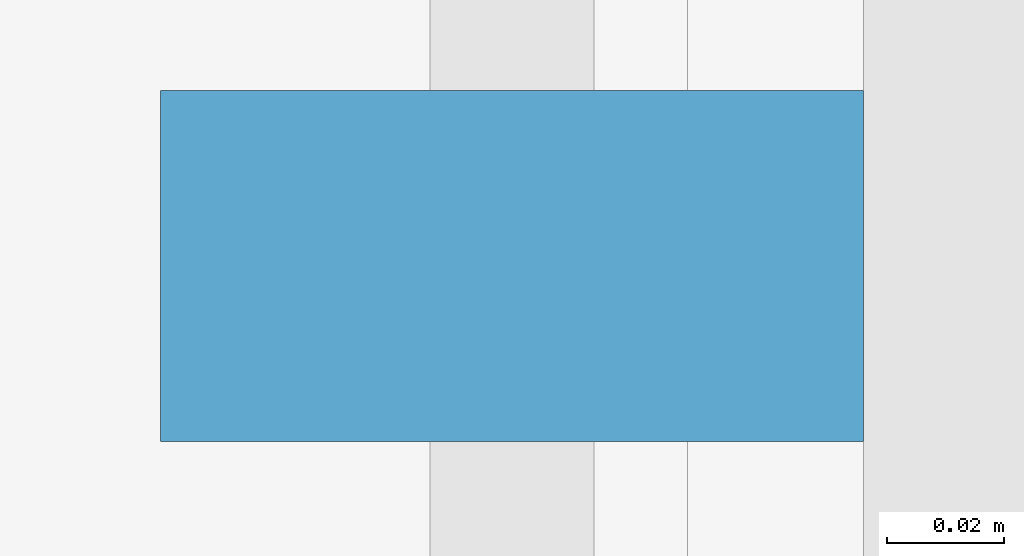
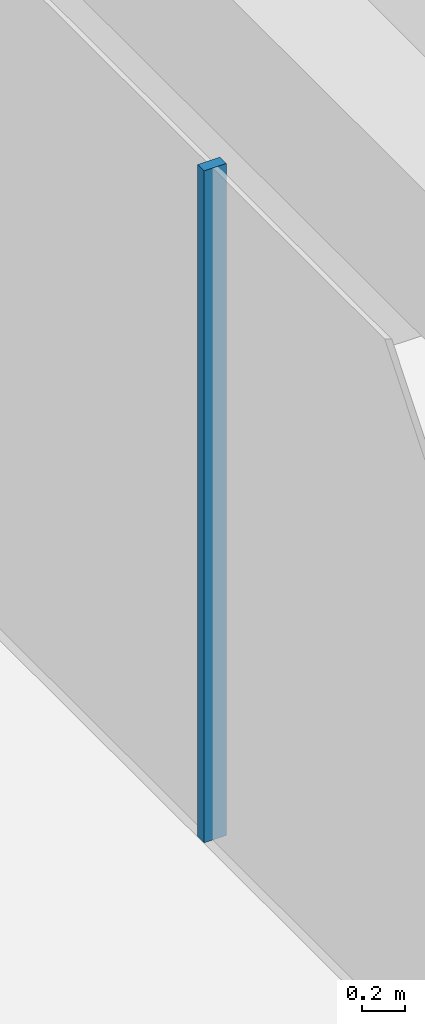
# One storey, part 9 of 20: 1 member, 1 element without a shape of its own.
"""IFC4 building model written with IfcOpenShell, lengths in metres."""

from ifc_helpers import new_model, si_unit, direction, frame, origin, origin_2d, place, context, subcontext, project, spatial, rectangle, extrude, material, layer, layer_set, material_profile, profile_set, type_object, element, aggregate, save


model = new_model("IFC4")

# Units and contexts
model_context = context("Model", 3, precision=1e-05, world=origin(), true_north=direction((0.0, 1.0)))
body_context = subcontext(model_context, "Body", "Model", "MODEL_VIEW")
ifc_project = project(units=[si_unit("LENGTHUNIT", "METRE"), si_unit("AREAUNIT", "SQUARE_METRE"), si_unit("VOLUMEUNIT", "CUBIC_METRE"), si_unit("PLANEANGLEUNIT", "RADIAN"), si_unit("MASSUNIT", "GRAM", prefix="KILO")], contexts=[model_context])

# Site, building, storey
site_placement = place(None, origin())
site = spatial("IfcSite", under=ifc_project, at=site_placement, CompositionType="ELEMENT")
building_placement = place(site_placement, origin())
building = spatial("IfcBuilding", under=site, at=building_placement, Name="Welwitschia Terrace Campus", CompositionType="ELEMENT")
storey_placement = place(building_placement, frame((0.0, 0.0, 239.0)))
storey = spatial("IfcBuildingStorey", under=building, at=storey_placement, Name="L53", CompositionType="ELEMENT", Elevation=239.0)

# Curtain wall, member
ifc_material_1 = material(Name="Bronze anodised aluminium", Category="aluminium")
ifc_layer = layer(ifc_material_1, 0.1201171875)
ifc_layer_set = layer_set([ifc_layer], Name="Bronze anodised aluminium")
curtain_wall_type = type_object("IfcCurtainWallType", Name="Curtain wall CW2 tower 6000", PredefinedType="NOTDEFINED", material=ifc_layer_set)
curtain_wall_placement = place(storey_placement, origin())
curtain_wall = element("IfcCurtainWall", 1, at=curtain_wall_placement, inside=storey, type_object=curtain_wall_type, Name="CW L53.10.0", PredefinedType="NOTDEFINED")
ifc_material_2 = material(Name="Bronze anodised aluminium", Category="aluminium")
ifc_material_profile = material_profile(ifc_material_2, rectangle(XDim=0.1201171875, YDim=0.06005859375, at=origin_2d()))
ifc_profile_set = profile_set([ifc_material_profile], Name="Bronze anodised aluminium")
member_type = type_object("IfcMemberType", Name="Mullion 60x120", PredefinedType="MULLION", material=ifc_profile_set)
member_placement = place(storey_placement, frame((-1.030029296875, 53.872802734375, 0.0), z_axis=(0.0, 0.0, 1.0), x_axis=(1.0, 0.0, 0.0)))
member = element("IfcMember", 2, at=member_placement, type_object=member_type, Name="Mullion L53.10.0.3", PredefinedType="MULLION", context=body_context, shape_type="SweptSolid", body=[
    extrude(rectangle(XDim=0.1201171875, YDim=0.06005859375, at=origin_2d()), origin(), (0.0, 0.0, 1.0), 3.85009765625),
])
aggregate(curtain_wall, [member])

save(model, "model.ifc")
